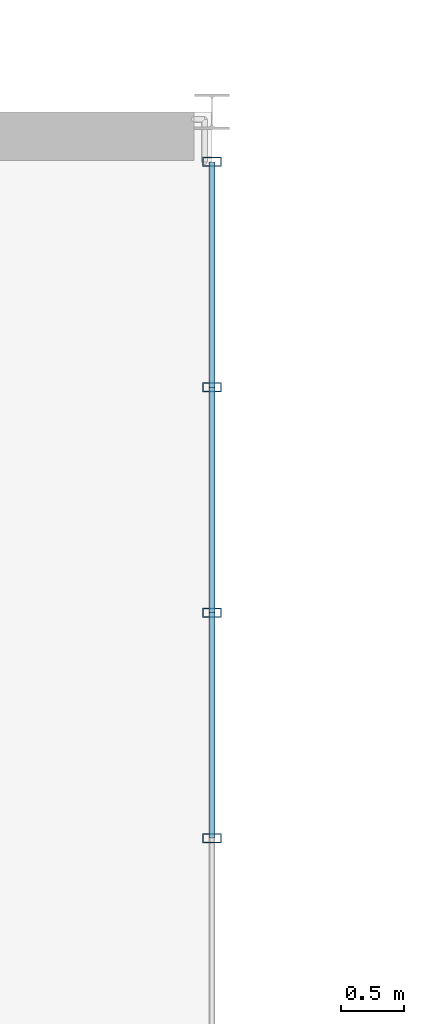
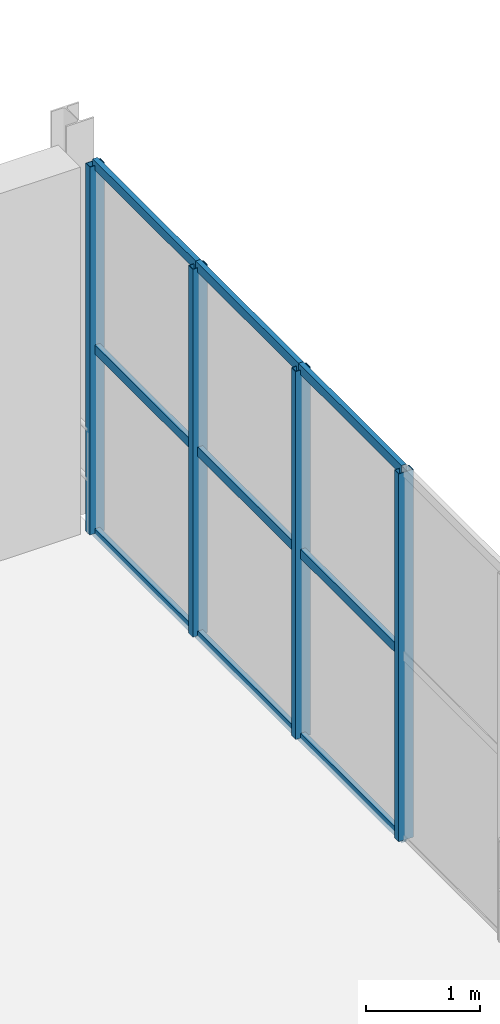
# One storey, part 61 of 122: 13 members, 1 element without a shape of its own.
"""IFC4 building model written with IfcOpenShell, lengths in metres."""

from ifc_helpers import new_model, si_unit, direction, frame, origin, origin_2d, place, context, subcontext, project, spatial, hollow_rectangle, extrude, material, material_profile, profile_set, type_object, element, aggregate, save


model = new_model("IFC4")

# Units and contexts
model_context = context("Model", 3, precision=1e-05, world=origin(), true_north=direction((0.0, 1.0)))
body_context = subcontext(model_context, "Body", "Model", "MODEL_VIEW")
ifc_project = project(units=[si_unit("LENGTHUNIT", "METRE"), si_unit("AREAUNIT", "SQUARE_METRE"), si_unit("VOLUMEUNIT", "CUBIC_METRE"), si_unit("PLANEANGLEUNIT", "RADIAN"), si_unit("MASSUNIT", "GRAM", prefix="KILO")], contexts=[model_context])

# Site, building, storey
site_placement = place(None, origin())
site = spatial("IfcSite", under=ifc_project, at=site_placement, CompositionType="ELEMENT")
building_placement = place(site_placement, origin())
building = spatial("IfcBuilding", under=site, at=building_placement, Name="Sundkrona Museum", CompositionType="ELEMENT")
storey_placement = place(building_placement, frame((0.0, 0.0, 5.39990234375)))
storey = spatial("IfcBuildingStorey", under=building, at=storey_placement, Name="L01", CompositionType="ELEMENT", Elevation=5.39990234375)

# Curtain wall, members
ifc_material_1 = material(Name="Unitised Aluminium-Steel and Ceramic-Clad Curtain Walling", Category="steel")
curtain_wall_type = type_object("IfcCurtainWallType", Name="CW-PS-54x38", PredefinedType="NOTDEFINED", material=ifc_material_1)
curtain_wall_placement = place(storey_placement, origin())
curtain_wall = element("IfcCurtainWall", 1, at=curtain_wall_placement, inside=storey, type_object=curtain_wall_type, Name="L01 Curtain Wall CW-L01-123", PredefinedType="NOTDEFINED")
ifc_material_2 = material(Name="Aluminium EN AW-6060 T66", Category="aluminium")
ifc_material_profile_1 = material_profile(ifc_material_2, hollow_rectangle(XDim=0.074951171875, YDim=0.14990234375, WallThickness=0.00634765625, at=origin_2d()), Name="RHS 150x75x6.3")
ifc_profile_set_1 = profile_set([ifc_material_profile_1], Name="Aluminium EN AW-6060 T66")
member_type_1 = type_object("IfcMemberType", Name="ML-150", PredefinedType="MULLION", material=ifc_profile_set_1)
member_1_placement = place(storey_placement, frame((96.0, 96.199951171875, -0.00390625), z_axis=(0.0, 0.0, 1.0), x_axis=(0.0, 1.0, 0.0)))
member_1 = element("IfcMember", 2, at=member_1_placement, type_object=member_type_1, Name="CW-L01-123 Mullion 02", PredefinedType="MULLION", context=body_context, shape_type="SweptSolid", body=[
    extrude(hollow_rectangle(XDim=0.074951171875, YDim=0.14990234375, WallThickness=0.00634765625, at=origin_2d()), origin(), (0.0, 0.0, 1.0), 3.927978515625),
])
member_2_placement = place(storey_placement, frame((96.0, 98.0, -0.00390625), z_axis=(0.0, 0.0, 1.0), x_axis=(0.0, 1.0, 0.0)))
member_2 = element("IfcMember", 3, at=member_2_placement, type_object=member_type_1, Name="CW-L01-123 Mullion 03", PredefinedType="MULLION", context=body_context, shape_type="SweptSolid", body=[
    extrude(hollow_rectangle(XDim=0.074951171875, YDim=0.14990234375, WallThickness=0.00634765625, at=origin_2d()), origin(), (0.0, 0.0, 1.0), 3.927978515625),
])
member_3_placement = place(storey_placement, frame((96.0, 99.800048828125, -0.00390625), z_axis=(0.0, 0.0, 1.0), x_axis=(0.0, 1.0, 0.0)))
member_3 = element("IfcMember", 4, at=member_3_placement, type_object=member_type_1, Name="CW-L01-123 Mullion 04", PredefinedType="MULLION", context=body_context, shape_type="SweptSolid", body=[
    extrude(hollow_rectangle(XDim=0.074951171875, YDim=0.14990234375, WallThickness=0.00634765625, at=origin_2d()), origin(), (0.0, 0.0, 1.0), 3.927978515625),
])
member_4_placement = place(storey_placement, frame((96.0, 101.60009765625, -0.00390625), z_axis=(0.0, 0.0, 1.0), x_axis=(0.0, 1.0, 0.0)))
member_4 = element("IfcMember", 5, at=member_4_placement, type_object=member_type_1, Name="CW-L01-123 Mullion 05", PredefinedType="MULLION", context=body_context, shape_type="SweptSolid", body=[
    extrude(hollow_rectangle(XDim=0.074951171875, YDim=0.14990234375, WallThickness=0.00634765625, at=origin_2d()), origin(), (0.0, 0.0, 1.0), 3.927978515625),
])
ifc_material_profile_2 = material_profile(ifc_material_2, hollow_rectangle(XDim=0.050048828125, YDim=0.10009765625, WallThickness=0.0048828125, at=origin_2d()), Name="RHS 100x50x5.0")
ifc_profile_set_2 = profile_set([ifc_material_profile_2], Name="Aluminium EN AW-6060 T66")
member_type_2 = type_object("IfcMemberType", Name="TR-100", PredefinedType="USERDEFINED", material=ifc_profile_set_2)
member_5_placement = place(storey_placement, frame((96.0, 96.199951171875, -0.00390625), z_axis=(0.0, 1.0, 0.0), x_axis=(-1.0, 0.0, 0.0)))
member_5 = element("IfcMember", 6, at=member_5_placement, type_object=member_type_2, Name="CW-L01-123 Transom 04", ObjectType="TRANSOM", PredefinedType="USERDEFINED", context=body_context, shape_type="SweptSolid", body=[
    extrude(hollow_rectangle(XDim=0.050048828125, YDim=0.10009765625, WallThickness=0.0048828125, at=origin_2d()), origin(), (0.0, 0.0, 1.0), 1.800048828125),
])
member_6_placement = place(storey_placement, frame((96.0, 96.199951171875, 1.960205078125), z_axis=(0.0, 1.0, 0.0), x_axis=(-1.0, 0.0, 0.0)))
member_6 = element("IfcMember", 7, at=member_6_placement, type_object=member_type_2, Name="CW-L01-123 Transom 05", ObjectType="TRANSOM", PredefinedType="USERDEFINED", context=body_context, shape_type="SweptSolid", body=[
    extrude(hollow_rectangle(XDim=0.050048828125, YDim=0.10009765625, WallThickness=0.0048828125, at=origin_2d()), origin(), (0.0, 0.0, 1.0), 1.800048828125),
])
member_7_placement = place(storey_placement, frame((96.0, 96.199951171875, 3.924072265625), z_axis=(0.0, 1.0, 0.0), x_axis=(-1.0, 0.0, 0.0)))
member_7 = element("IfcMember", 8, at=member_7_placement, type_object=member_type_2, Name="CW-L01-123 Transom 06", ObjectType="TRANSOM", PredefinedType="USERDEFINED", context=body_context, shape_type="SweptSolid", body=[
    extrude(hollow_rectangle(XDim=0.050048828125, YDim=0.10009765625, WallThickness=0.0048828125, at=origin_2d()), origin(), (0.0, 0.0, 1.0), 1.800048828125),
])
member_8_placement = place(storey_placement, frame((96.0, 98.0, -0.00390625), z_axis=(0.0, 1.0, 0.0), x_axis=(-1.0, 0.0, 0.0)))
member_8 = element("IfcMember", 9, at=member_8_placement, type_object=member_type_2, Name="CW-L01-123 Transom 07", ObjectType="TRANSOM", PredefinedType="USERDEFINED", context=body_context, shape_type="SweptSolid", body=[
    extrude(hollow_rectangle(XDim=0.050048828125, YDim=0.10009765625, WallThickness=0.0048828125, at=origin_2d()), origin(), (0.0, 0.0, 1.0), 1.800048828125),
])
member_9_placement = place(storey_placement, frame((96.0, 98.0, 1.960205078125), z_axis=(0.0, 1.0, 0.0), x_axis=(-1.0, 0.0, 0.0)))
member_9 = element("IfcMember", 10, at=member_9_placement, type_object=member_type_2, Name="CW-L01-123 Transom 08", ObjectType="TRANSOM", PredefinedType="USERDEFINED", context=body_context, shape_type="SweptSolid", body=[
    extrude(hollow_rectangle(XDim=0.050048828125, YDim=0.10009765625, WallThickness=0.0048828125, at=origin_2d()), origin(), (0.0, 0.0, 1.0), 1.800048828125),
])
member_10_placement = place(storey_placement, frame((96.0, 98.0, 3.924072265625), z_axis=(0.0, 1.0, 0.0), x_axis=(-1.0, 0.0, 0.0)))
member_10 = element("IfcMember", 11, at=member_10_placement, type_object=member_type_2, Name="CW-L01-123 Transom 09", ObjectType="TRANSOM", PredefinedType="USERDEFINED", context=body_context, shape_type="SweptSolid", body=[
    extrude(hollow_rectangle(XDim=0.050048828125, YDim=0.10009765625, WallThickness=0.0048828125, at=origin_2d()), origin(), (0.0, 0.0, 1.0), 1.800048828125),
])
member_11_placement = place(storey_placement, frame((96.0, 99.800048828125, -0.00390625), z_axis=(0.0, 1.0, 0.0), x_axis=(-1.0, 0.0, 0.0)))
member_11 = element("IfcMember", 12, at=member_11_placement, type_object=member_type_2, Name="CW-L01-123 Transom 10", ObjectType="TRANSOM", PredefinedType="USERDEFINED", context=body_context, shape_type="SweptSolid", body=[
    extrude(hollow_rectangle(XDim=0.050048828125, YDim=0.10009765625, WallThickness=0.0048828125, at=origin_2d()), origin(), (0.0, 0.0, 1.0), 1.800048828125),
])
member_12_placement = place(storey_placement, frame((96.0, 99.800048828125, 1.960205078125), z_axis=(0.0, 1.0, 0.0), x_axis=(-1.0, 0.0, 0.0)))
member_12 = element("IfcMember", 13, at=member_12_placement, type_object=member_type_2, Name="CW-L01-123 Transom 11", ObjectType="TRANSOM", PredefinedType="USERDEFINED", context=body_context, shape_type="SweptSolid", body=[
    extrude(hollow_rectangle(XDim=0.050048828125, YDim=0.10009765625, WallThickness=0.0048828125, at=origin_2d()), origin(), (0.0, 0.0, 1.0), 1.800048828125),
])
member_13_placement = place(storey_placement, frame((96.0, 99.800048828125, 3.924072265625), z_axis=(0.0, 1.0, 0.0), x_axis=(-1.0, 0.0, 0.0)))
member_13 = element("IfcMember", 14, at=member_13_placement, type_object=member_type_2, Name="CW-L01-123 Transom 12", ObjectType="TRANSOM", PredefinedType="USERDEFINED", context=body_context, shape_type="SweptSolid", body=[
    extrude(hollow_rectangle(XDim=0.050048828125, YDim=0.10009765625, WallThickness=0.0048828125, at=origin_2d()), origin(), (0.0, 0.0, 1.0), 1.800048828125),
])
aggregate(curtain_wall, [member_1, member_2, member_3, member_4, member_5, member_6, member_7, member_8, member_9, member_10, member_11, member_12, member_13])

save(model, "model.ifc")
